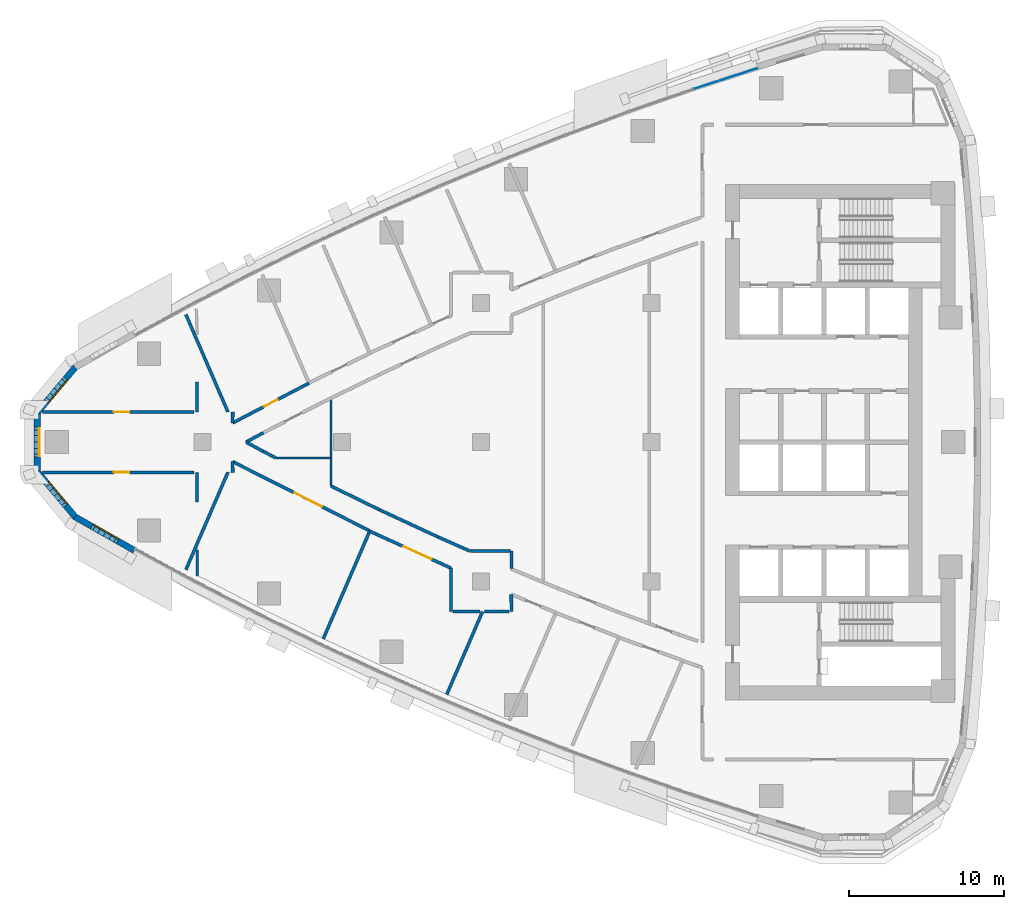
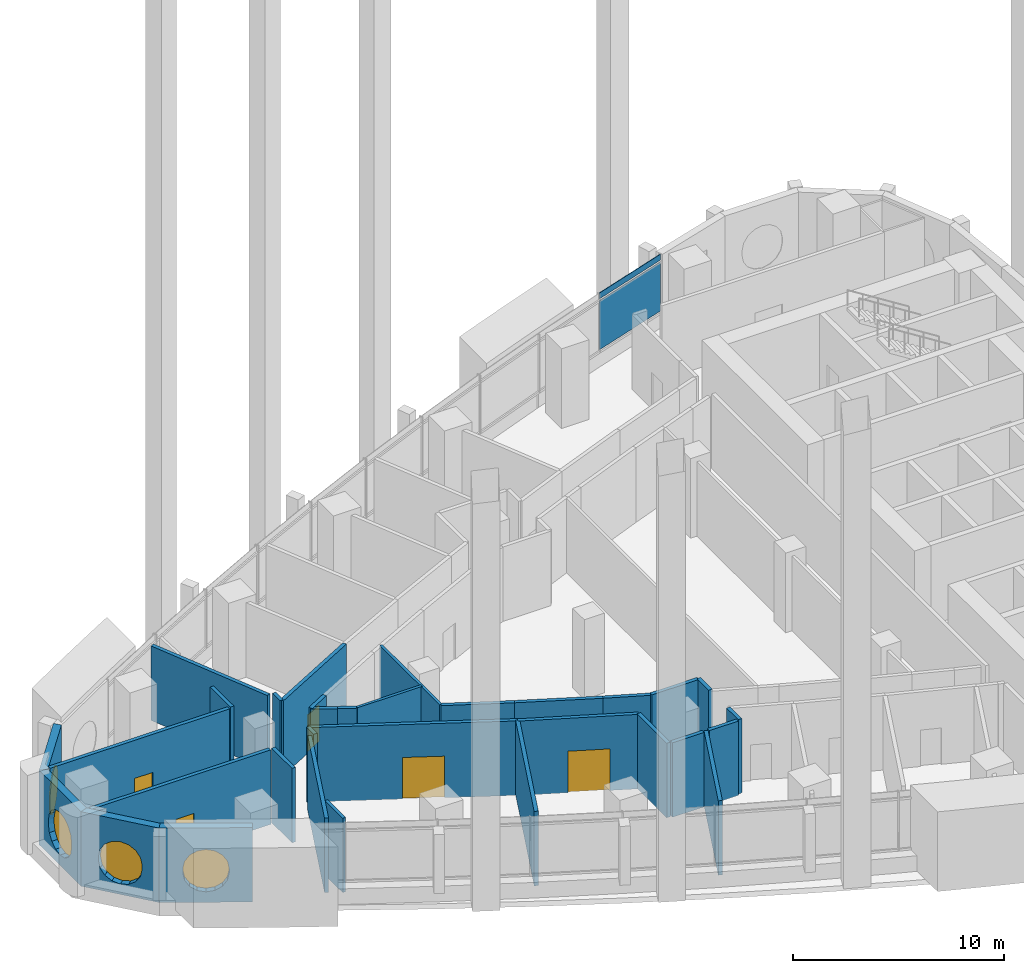
# One storey, part 7 of 17: 32 walls, 5 doors, 4 windows, 2 plates, 9 openings, 1 element without a shape of its own.
"""IFC4 building model written with IfcOpenShell, lengths in metres."""

from ifc_helpers import new_model, si_unit, direction, frame, frame_2d, origin, origin_2d, place, context, subcontext, project, spatial, polyline, rectangle, outline, extrude, material, layer, layer_set, type_object, element, fill, aggregate, save


model = new_model("IFC4")

# Units and contexts
model_context = context("Model", 3, precision=1e-05, world=origin(), true_north=direction((0.0, 1.0)))
body_context = subcontext(model_context, "Body", "Model", "MODEL_VIEW")
ifc_project = project(units=[si_unit("LENGTHUNIT", "METRE"), si_unit("AREAUNIT", "SQUARE_METRE"), si_unit("VOLUMEUNIT", "CUBIC_METRE"), si_unit("PLANEANGLEUNIT", "RADIAN"), si_unit("MASSUNIT", "GRAM", prefix="KILO")], contexts=[model_context])

# Site, building, storey
site_placement = place(None, origin())
site = spatial("IfcSite", under=ifc_project, at=site_placement, CompositionType="ELEMENT")
building_placement = place(site_placement, origin())
building = spatial("IfcBuilding", under=site, at=building_placement, Name="Ostrand Prow Hotel Tower", CompositionType="ELEMENT")
storey_placement = place(building_placement, frame((0.0, 0.0, 125.60009765625)))
storey = spatial("IfcBuildingStorey", under=building, at=storey_placement, Name="L30", CompositionType="ELEMENT", Elevation=125.60009765625)

# Curtain wall, plates
ifc_material_1 = material(Name="Insulated glass in bronze anodised frame", Category="glass")
ifc_layer_1 = layer(ifc_material_1, 0.199951171875)
ifc_layer_set_1 = layer_set([ifc_layer_1], Name="Insulated glass in bronze anodised frame")
curtain_wall_type = type_object("IfcCurtainWallType", Name="Sky lobby full-height curtain wall", PredefinedType="NOTDEFINED", material=ifc_layer_set_1)
curtain_wall_placement = place(storey_placement, origin())
curtain_wall = element("IfcCurtainWall", 1, at=curtain_wall_placement, inside=storey, type_object=curtain_wall_type, Name="CW3 run CWN1", PredefinedType="NOTDEFINED")
ifc_material_2 = material(Name="Low-iron clear glass", Category="glass")
ifc_layer_2 = layer(ifc_material_2, 0.031982421875)
ifc_layer_set_2 = layer_set([ifc_layer_2], Name="Low-iron clear glass")
plate_type = type_object("IfcPlateType", Name="Clear glass unit 32 mm", PredefinedType="CURTAIN_PANEL", material=ifc_layer_set_2)
plate_1_placement = place(storey_placement, frame((49.803466796875, 23.483154296875, 1.02001953125), z_axis=(0.0, 0.0, 1.0), x_axis=(-0.950938332153, -0.309380491373, 0.0)))
plate_1 = element("IfcPlate", 2, at=plate_1_placement, type_object=plate_type, Name="CW3 PN-C panel 1.2", PredefinedType="CURTAIN_PANEL", context=body_context, shape_type="SweptSolid", body=[
    extrude(rectangle(XDim=4.326171875, YDim=0.031982421875, at=origin_2d()), origin(), (0.0, 0.0, 1.0), 2.820068359375),
])
plate_2_placement = place(storey_placement, frame((49.803466796875, 23.483154296875, 3.9599609375), z_axis=(0.0, 0.0, 1.0), x_axis=(-0.950938332153, -0.309380491373, 0.0)))
plate_2 = element("IfcPlate", 3, at=plate_2_placement, type_object=plate_type, Name="CW3 PN-C panel 1.3", PredefinedType="CURTAIN_PANEL", context=body_context, shape_type="SweptSolid", body=[
    extrude(rectangle(XDim=4.326171875, YDim=0.031982421875, at=origin_2d()), origin(), (0.0, 0.0, 1.0), 0.340087890625),
])
aggregate(curtain_wall, [plate_1, plate_2])

# Walls
ifc_material_3 = material(Name="Plasterboard partition")
ifc_layer_3 = layer(ifc_material_3, 0.14990234375)
ifc_layer_set_3 = layer_set([ifc_layer_3], Name="Plasterboard partition")
wall_type_1 = type_object("IfcWallType", Name="Partition 150 room partition", PredefinedType="PARTITIONING", material=ifc_layer_set_3)
wall_1_placement = place(storey_placement, frame((20.741943359375, -1.02099609375, 0.0), z_axis=(0.0, 0.0, 1.0), x_axis=(1.0, 0.0, 0.0)))
element("IfcWall", 4, at=wall_1_placement, inside=storey, type_object=wall_type_1, Name="ROOM PARTITION", PredefinedType="PARTITIONING", context=body_context, shape_type="SweptSolid", body=[
    extrude(rectangle(XDim=3.557861328125, YDim=0.14990234375, at=frame_2d((1.77880859375, 0.0))), origin(), (0.0, 0.0, 1.0), 4.2998046875),
])
wall_2_placement = place(storey_placement, frame((24.2998046875, -2.8359375, 0.0), z_axis=(0.0, 0.0, 1.0), x_axis=(0.0, 1.0, 0.0)))
element("IfcWall", 5, at=wall_2_placement, inside=storey, type_object=wall_type_1, Name="ROOM PARTITION", PredefinedType="PARTITIONING", context=body_context, shape_type="SweptSolid", body=[
    extrude(rectangle(XDim=5.671875, YDim=0.14990234375, at=frame_2d((2.8359375, 0.0))), origin(), (0.0, 0.0, 1.0), 4.2998046875),
])
wall_3_placement = place(storey_placement, frame((15.65869140625, -6.955078125, 0.0), z_axis=(0.0, 0.0, 1.0), x_axis=(0.0, -1.0, 0.0)))
element("IfcWall", 6, at=wall_3_placement, inside=storey, type_object=wall_type_1, Name="ROOM PARTITION", PredefinedType="PARTITIONING", context=body_context, shape_type="SweptSolid", body=[
    extrude(rectangle(XDim=1.68359375, YDim=0.14990234375, at=frame_2d((0.841796875, 0.0))), origin(), (0.0, 0.0, 1.0), 4.2998046875),
])

# Wall, opening, door
ifc_material_4 = material(Name="Plasterboard partition")
ifc_layer_4 = layer(ifc_material_4, 0.199951171875)
ifc_layer_set_4 = layer_set([ifc_layer_4], Name="Plasterboard partition")
wall_type_2 = type_object("IfcWallType", Name="Partition 200 corridor wall", PredefinedType="PARTITIONING", material=ifc_layer_set_4)
wall_4_placement = place(storey_placement, frame((5.654296875, 1.949951171875, 0.0), z_axis=(0.0, 0.0, 1.0), x_axis=(1.0, 0.0, 0.0)))
wall_4 = element("IfcWall", 7, at=wall_4_placement, inside=storey, type_object=wall_type_2, Name="CORRIDOR WALL", PredefinedType="PARTITIONING", context=body_context, shape_type="SweptSolid", body=[
    extrude(rectangle(XDim=9.804443359375, YDim=0.199951171875, at=frame_2d((4.90234375, 0.0))), origin(), (0.0, 0.0, 1.0), 4.2998046875),
])
opening_1_placement = place(wall_4_placement, frame((4.618408203125, 0.0, 0.0)))
opening_1 = element("IfcOpeningElement", 8, at=opening_1_placement, cuts=wall_4, Name="Opening D1", PredefinedType="OPENING", context=body_context, shape_type="SweptSolid", body=[
    extrude(rectangle(XDim=1.0, YDim=2.10009765625, at=frame_2d((0.5, 1.050048828125))), frame((0.0, 0.10986328125, 0.0), z_axis=(0.0, -1.0, 0.0), x_axis=(1.0, 0.0, 0.0)), (0.0, 0.0, 1.0), 0.219970703125),
])
ifc_material_5 = material(Name="Timber door leaf", Category="wood")
door_type_1 = type_object("IfcDoorType", Name="Guest room door 1000", OperationType="SINGLE_SWING_LEFT", PredefinedType="DOOR", material=ifc_material_5)
door_1_placement = place(opening_1_placement, origin())
door_1 = element("IfcDoor", 9, at=door_1_placement, inside=storey, type_object=door_type_1, Name="DOOR", OperationType="SINGLE_SWING_LEFT", OverallHeight=2.10009765625, OverallWidth=1.0, PredefinedType="DOOR", context=body_context, shape_type="SweptSolid", body=[
    extrude(rectangle(XDim=1.0, YDim=2.10009765625, at=frame_2d((0.5, 1.050048828125))), frame((0.0, 0.02490234375, 0.0), z_axis=(0.0, -1.0, 0.0), x_axis=(1.0, 0.0, 0.0)), (0.0, 0.0, 1.0), 0.050048828125),
])
fill(opening_1, door_1)

wall_5_placement = place(storey_placement, frame((5.654296875, -1.949951171875, 0.0), z_axis=(0.0, 0.0, 1.0), x_axis=(1.0, 0.0, 0.0)))
wall_5 = element("IfcWall", 10, at=wall_5_placement, inside=storey, type_object=wall_type_2, Name="CORRIDOR WALL", PredefinedType="PARTITIONING", context=body_context, shape_type="SweptSolid", body=[
    extrude(rectangle(XDim=9.804443359375, YDim=0.199951171875, at=frame_2d((4.90234375, 0.0))), origin(), (0.0, 0.0, 1.0), 4.2998046875),
])
opening_2_placement = place(wall_5_placement, frame((4.618408203125, 0.0, 0.0)))
opening_2 = element("IfcOpeningElement", 11, at=opening_2_placement, cuts=wall_5, Name="Opening D1R", PredefinedType="OPENING", context=body_context, shape_type="SweptSolid", body=[
    extrude(rectangle(XDim=1.0, YDim=2.10009765625, at=frame_2d((0.5, 1.050048828125))), frame((0.0, 0.10986328125, 0.0), z_axis=(0.0, -1.0, 0.0), x_axis=(1.0, 0.0, 0.0)), (0.0, 0.0, 1.0), 0.219970703125),
])
ifc_material_6 = material(Name="Timber door leaf", Category="wood")
door_type_2 = type_object("IfcDoorType", Name="Guest room door 1000 right", OperationType="SINGLE_SWING_RIGHT", PredefinedType="DOOR", material=ifc_material_6)
door_2_placement = place(opening_2_placement, origin())
door_2 = element("IfcDoor", 12, at=door_2_placement, inside=storey, type_object=door_type_2, Name="DOOR", OperationType="SINGLE_SWING_RIGHT", OverallHeight=2.10009765625, OverallWidth=1.0, PredefinedType="DOOR", context=body_context, shape_type="SweptSolid", body=[
    extrude(rectangle(XDim=1.0, YDim=2.10009765625, at=frame_2d((0.5, 1.050048828125))), frame((0.0, 0.02490234375, 0.0), z_axis=(0.0, -1.0, 0.0), x_axis=(1.0, 0.0, 0.0)), (0.0, 0.0, 1.0), 0.050048828125),
])
fill(opening_2, door_2)

wall_6_placement = place(storey_placement, frame((17.949951171875, 1.238037109375, 0.0), z_axis=(0.0, 0.0, 1.0), x_axis=(0.886717942467, 0.46231081591, 0.0)))
wall_6 = element("IfcWall", 13, at=wall_6_placement, inside=storey, type_object=wall_type_2, Name="CORRIDOR WALL", PredefinedType="PARTITIONING", context=body_context, shape_type="SweptSolid", body=[
    extrude(rectangle(XDim=5.55859375, YDim=0.199951171875, at=frame_2d((2.779296875, 0.0))), origin(), (0.0, 0.0, 1.0), 4.2998046875),
])
opening_3_placement = place(wall_6_placement, frame((2.279296875, 0.0, 0.0)))
opening_3 = element("IfcOpeningElement", 14, at=opening_3_placement, cuts=wall_6, Name="Opening D1", PredefinedType="OPENING", context=body_context, shape_type="SweptSolid", body=[
    extrude(rectangle(XDim=1.0, YDim=2.10009765625, at=frame_2d((0.5, 1.050048828125))), frame((0.0, 0.10986328125, 0.0), z_axis=(0.0, -1.0, 0.0), x_axis=(1.0, 0.0, 0.0)), (0.0, 0.0, 1.0), 0.219970703125),
])
door_3_placement = place(opening_3_placement, origin())
door_3 = element("IfcDoor", 15, at=door_3_placement, inside=storey, type_object=door_type_1, Name="DOOR", OperationType="SINGLE_SWING_LEFT", OverallHeight=2.10009765625, OverallWidth=1.0, PredefinedType="DOOR", context=body_context, shape_type="SweptSolid", body=[
    extrude(rectangle(XDim=1.0, YDim=2.10009765625, at=frame_2d((0.5, 1.050048828125))), frame((0.0, 0.02490234375, 0.0), z_axis=(0.0, -1.0, 0.0), x_axis=(1.0, 0.0, 0.0)), (0.0, 0.0, 1.0), 0.050048828125),
])
fill(opening_3, door_3)

wall_7_placement = place(storey_placement, frame((17.949951171875, -1.2607421875, 0.0), z_axis=(0.0, 0.0, 1.0), x_axis=(0.892679126003, -0.450692775623, 0.0)))
wall_7 = element("IfcWall", 16, at=wall_7_placement, inside=storey, type_object=wall_type_2, Name="CORRIDOR WALL", PredefinedType="PARTITIONING", context=body_context, shape_type="SweptSolid", body=[
    extrude(rectangle(XDim=9.9267578125, YDim=0.199951171875, at=frame_2d((4.96337890625, 0.0))), origin(), (0.0, 0.0, 1.0), 4.2998046875),
])
opening_4_placement = place(wall_7_placement, frame((4.463134765625, 0.0, 0.0)))
opening_4 = element("IfcOpeningElement", 17, at=opening_4_placement, cuts=wall_7, Name="Opening D20", PredefinedType="OPENING", context=body_context, shape_type="SweptSolid", body=[
    extrude(rectangle(XDim=2.0, YDim=2.39990234375, at=frame_2d((1.0, 1.199951171875))), frame((0.0, 0.10986328125, 0.0), z_axis=(0.0, -1.0, 0.0), x_axis=(1.0, 0.0, 0.0)), (0.0, 0.0, 1.0), 0.219970703125),
])
ifc_material_7 = material(Name="Timber door leaf", Category="wood")
door_type_3 = type_object("IfcDoorType", Name="Double door 2000", OperationType="DOUBLE_DOOR_SINGLE_SWING", PredefinedType="DOOR", material=ifc_material_7)
door_4_placement = place(opening_4_placement, origin())
door_4 = element("IfcDoor", 18, at=door_4_placement, inside=storey, type_object=door_type_3, Name="DOOR", OperationType="DOUBLE_DOOR_SINGLE_SWING", OverallHeight=2.39990234375, OverallWidth=2.0, PredefinedType="DOOR", context=body_context, shape_type="SweptSolid", body=[
    extrude(rectangle(XDim=2.0, YDim=2.39990234375, at=frame_2d((1.0, 1.199951171875))), frame((0.0, 0.02490234375, 0.0), z_axis=(0.0, -1.0, 0.0), x_axis=(1.0, 0.0, 0.0)), (0.0, 0.0, 1.0), 0.050048828125),
])
fill(opening_4, door_4)

wall_8_placement = place(storey_placement, frame((26.80322265625, -5.7529296875, 0.0), z_axis=(0.0, 0.0, 1.0), x_axis=(0.910552112877, -0.41339430298, 0.0)))
wall_8 = element("IfcWall", 19, at=wall_8_placement, inside=storey, type_object=wall_type_2, Name="CORRIDOR WALL", PredefinedType="PARTITIONING", context=body_context, shape_type="SweptSolid", body=[
    extrude(rectangle(XDim=5.76220703125, YDim=0.199951171875, at=frame_2d((2.881103515625, 0.0))), origin(), (0.0, 0.0, 1.0), 4.2998046875),
])
opening_5_placement = place(wall_8_placement, frame((2.381103515625, 0.0, 0.0)))
opening_5 = element("IfcOpeningElement", 20, at=opening_5_placement, cuts=wall_8, Name="Opening D20", PredefinedType="OPENING", context=body_context, shape_type="SweptSolid", body=[
    extrude(rectangle(XDim=2.0, YDim=2.39990234375, at=frame_2d((1.0, 1.199951171875))), frame((0.0, 0.10986328125, 0.0), z_axis=(0.0, -1.0, 0.0), x_axis=(1.0, 0.0, 0.0)), (0.0, 0.0, 1.0), 0.219970703125),
])
door_5_placement = place(opening_5_placement, origin())
door_5 = element("IfcDoor", 21, at=door_5_placement, inside=storey, type_object=door_type_3, Name="DOOR", OperationType="DOUBLE_DOOR_SINGLE_SWING", OverallHeight=2.39990234375, OverallWidth=2.0, PredefinedType="DOOR", context=body_context, shape_type="SweptSolid", body=[
    extrude(rectangle(XDim=2.0, YDim=2.39990234375, at=frame_2d((1.0, 1.199951171875))), frame((0.0, 0.02490234375, 0.0), z_axis=(0.0, -1.0, 0.0), x_axis=(1.0, 0.0, 0.0)), (0.0, 0.0, 1.0), 0.050048828125),
])
fill(opening_5, door_5)

# Walls
for number, where, z_axis, x_axis, name in (
    (22, (19.928466796875, -0.60205078125, 0.0), (0.0, 0.0, 1.0), (-0.879832865766, 0.475283208538, 0.0), "CORRIDOR WALL"),
    (23, (18.81396484375, 0.0, 0.0), (0.0, 0.0, 1.0), (0.879832865766, 0.475283208538, 0.0), "CORRIDOR WALL"),
):
    element("IfcWall", number, at=place(storey_placement, frame(where, z_axis=z_axis, x_axis=x_axis)), inside=storey, type_object=wall_type_2, Name=name, PredefinedType="PARTITIONING", context=body_context, shape_type="SweptSolid", body=[
        extrude(rectangle(XDim=1.2666015625, YDim=0.199951171875, at=frame_2d((0.63330078125, 0.0))), origin(), (0.0, 0.0, 1.0), 4.2998046875),
    ])
wall_9_placement = place(storey_placement, frame((20.741943359375, -1.02099609375, 0.0), z_axis=(0.0, 0.0, 1.0), x_axis=(-0.889027216477, 0.457854352784, 0.0)))
element("IfcWall", 24, at=wall_9_placement, inside=storey, type_object=wall_type_2, Name="CORRIDOR WALL", PredefinedType="PARTITIONING", context=body_context, shape_type="SweptSolid", body=[
    extrude(rectangle(XDim=0.9150390625, YDim=0.199951171875, at=frame_2d((0.45751953125, 0.0))), origin(), (0.0, 0.0, 1.0), 4.2998046875),
])
wall_10_placement = place(storey_placement, frame((33.307861328125, -7.050048828125, 0.0), z_axis=(0.0, 0.0, 1.0), x_axis=(-0.915102334452, 0.403221672881, 0.0)))
element("IfcWall", 25, at=wall_10_placement, inside=storey, type_object=wall_type_2, Name="CORRIDOR WALL", PredefinedType="PARTITIONING", context=body_context, shape_type="SweptSolid", body=[
    extrude(rectangle(XDim=2.269287109375, YDim=0.199951171875, at=frame_2d((1.134765625, 0.0))), origin(), (0.0, 0.0, 1.0), 4.2998046875),
])
wall_11_placement = place(storey_placement, frame((31.231201171875, -6.135009765625, 0.0), z_axis=(0.0, 0.0, 1.0), x_axis=(-0.906830275285, 0.421495968933, 0.0)))
element("IfcWall", 26, at=wall_11_placement, inside=storey, type_object=wall_type_2, Name="CORRIDOR WALL", PredefinedType="PARTITIONING", context=body_context, shape_type="SweptSolid", body=[
    extrude(rectangle(XDim=4.1953125, YDim=0.199951171875, at=frame_2d((2.09765625, 0.0))), origin(), (0.0, 0.0, 1.0), 4.2998046875),
])
wall_12_placement = place(storey_placement, frame((27.4267578125, -4.36669921875, 0.0), z_axis=(0.0, 0.0, 1.0), x_axis=(-0.898154271981, 0.43968045638, 0.0)))
element("IfcWall", 27, at=wall_12_placement, inside=storey, type_object=wall_type_2, Name="CORRIDOR WALL", PredefinedType="PARTITIONING", context=body_context, shape_type="SweptSolid", body=[
    extrude(rectangle(XDim=3.4814453125, YDim=0.199951171875, at=frame_2d((1.74072265625, 0.0))), origin(), (0.0, 0.0, 1.0), 4.2998046875),
])
wall_13_placement = place(storey_placement, frame((35.954833984375, -8.153564453125, 0.0), z_axis=(0.0, 0.0, 1.0), x_axis=(-0.002643744892, 0.9999965053, 0.0)))
element("IfcWall", 28, at=wall_13_placement, inside=storey, type_object=wall_type_2, Name="CORRIDOR WALL", PredefinedType="PARTITIONING", context=body_context, shape_type="SweptSolid", body=[
    extrude(rectangle(XDim=1.108154296875, YDim=0.199951171875, at=frame_2d((0.55419921875, 0.0))), origin(), (0.0, 0.0, 1.0), 4.2998046875),
])
wall_14_placement = place(storey_placement, frame((35.911865234375, -7.04541015625, 0.0), z_axis=(0.0, 0.0, 1.0), x_axis=(-0.999999981873, 0.000190403652, 0.0)))
element("IfcWall", 29, at=wall_14_placement, inside=storey, type_object=wall_type_2, Name="CORRIDOR WALL", PredefinedType="PARTITIONING", context=body_context, shape_type="SweptSolid", body=[
    extrude(rectangle(XDim=2.564453125, YDim=0.199951171875, at=frame_2d((1.2822265625, 0.0))), origin(), (0.0, 0.0, 1.0), 4.2998046875),
])
wall_15_placement = place(storey_placement, frame((15.65869140625, 3.869384765625, 0.0), z_axis=(0.0, 0.0, 1.0), x_axis=(0.0, -1.0, 0.0)))
element("IfcWall", 30, at=wall_15_placement, inside=storey, type_object=wall_type_2, Name="CORRIDOR WALL", PredefinedType="PARTITIONING", context=body_context, shape_type="SweptSolid", body=[
    extrude(rectangle(XDim=1.914306640625, YDim=0.199951171875, at=frame_2d((0.95703125, 0.0))), origin(), (0.0, 0.0, 1.0), 4.2998046875),
])
wall_16_placement = place(storey_placement, frame((15.65869140625, -1.955078125, 0.0), z_axis=(0.0, 0.0, 1.0), x_axis=(0.0, -1.0, 0.0)))
element("IfcWall", 31, at=wall_16_placement, inside=storey, type_object=wall_type_2, Name="CORRIDOR WALL", PredefinedType="PARTITIONING", context=body_context, shape_type="SweptSolid", body=[
    extrude(rectangle(XDim=1.921630859375, YDim=0.199951171875, at=frame_2d((0.9609375, 0.0))), origin(), (0.0, 0.0, 1.0), 4.2998046875),
])
wall_17_placement = place(storey_placement, frame((17.949951171875, 1.238037109375, 0.0), z_axis=(0.0, 0.0, 1.0), x_axis=(0.006497810838, 0.999978889004, 0.0)))
element("IfcWall", 32, at=wall_17_placement, inside=storey, type_object=wall_type_2, Name="CORRIDOR WALL", PredefinedType="PARTITIONING", context=body_context, shape_type="SweptSolid", body=[
    extrude(rectangle(XDim=0.7138671875, YDim=0.199951171875, at=frame_2d((0.35693359375, 0.0))), origin(), (0.0, 0.0, 1.0), 4.2998046875),
])
wall_18_placement = place(storey_placement, frame((17.95458984375, -1.951904296875, 0.0), z_axis=(0.0, 0.0, 1.0), x_axis=(-0.00671125825, 0.999977479253, 0.0)))
element("IfcWall", 33, at=wall_18_placement, inside=storey, type_object=wall_type_2, Name="CORRIDOR WALL", PredefinedType="PARTITIONING", context=body_context, shape_type="SweptSolid", body=[
    extrude(rectangle(XDim=0.691162109375, YDim=0.199951171875, at=frame_2d((0.345703125, 0.0))), origin(), (0.0, 0.0, 1.0), 4.2998046875),
])
wall_19_placement = place(storey_placement, frame((32.050048828125, -8.135009765625, 0.0), z_axis=(0.0, 0.0, 1.0), x_axis=(-0.001039230408, -0.99999946, 0.0)))
element("IfcWall", 34, at=wall_19_placement, inside=storey, type_object=wall_type_2, Name="CORRIDOR WALL", PredefinedType="PARTITIONING", context=body_context, shape_type="SweptSolid", body=[
    extrude(rectangle(XDim=2.819091796875, YDim=0.199951171875, at=frame_2d((1.40966796875, 0.0))), origin(), (0.0, 0.0, 1.0), 4.2998046875),
])
wall_20_placement = place(storey_placement, frame((35.952880859375, -10.9541015625, 0.0), z_axis=(0.0, 0.0, 1.0), x_axis=(-0.00262983969, 0.999996541966, 0.0)))
element("IfcWall", 35, at=wall_20_placement, inside=storey, type_object=wall_type_2, Name="CORRIDOR WALL", PredefinedType="PARTITIONING", context=body_context, shape_type="SweptSolid", body=[
    extrude(rectangle(XDim=1.114013671875, YDim=0.199951171875, at=frame_2d((0.55712890625, 0.0))), origin(), (0.0, 0.0, 1.0), 4.2998046875),
])
ifc_material_8 = material(Name="Plasterboard partition")
ifc_layer_5 = layer(ifc_material_8, 0.199951171875)
ifc_layer_set_5 = layer_set([ifc_layer_5], Name="Plasterboard partition")
wall_type_3 = type_object("IfcWallType", Name="Partition 200 key partition", PredefinedType="PARTITIONING", material=ifc_layer_set_5)
for number, where, z_axis, x_axis, name in (
    (36, (17.64306640625, 1.949951171875, 0.0), (0.0, 0.0, 1.0), (-0.395994543879, 0.918252863441, 0.0), "KEY PARTITION"),
    (37, (14.9287109375, -8.244140625, 0.0), (0.0, 0.0, 1.0), (0.395994543879, 0.918252863441, 0.0), "KEY PARTITION"),
):
    element("IfcWall", number, at=place(storey_placement, frame(where, z_axis=z_axis, x_axis=x_axis)), inside=storey, type_object=wall_type_3, Name=name, PredefinedType="PARTITIONING", context=body_context, shape_type="SweptSolid", body=[
        extrude(rectangle(XDim=6.8544921875, YDim=0.199951171875, at=frame_2d((3.42724609375, 0.0))), origin(), (0.0, 0.0, 1.0), 4.2998046875),
    ])
wall_21_placement = place(storey_placement, frame((23.800537109375, -12.716064453125, 0.0), z_axis=(0.0, 0.0, 1.0), x_axis=(0.395995556294, 0.918252426839, 0.0)))
element("IfcWall", 38, at=wall_21_placement, inside=storey, type_object=wall_type_3, Name="KEY PARTITION", PredefinedType="PARTITIONING", context=body_context, shape_type="SweptSolid", body=[
    extrude(rectangle(XDim=7.60302734375, YDim=0.199951171875, at=frame_2d((3.801513671875, 0.0))), origin(), (0.0, 0.0, 1.0), 4.2998046875),
])
wall_22_placement = place(storey_placement, frame((31.778564453125, -16.3134765625, 0.0), z_axis=(0.0, 0.0, 1.0), x_axis=(0.395991607501, 0.918254129742, 0.0)))
element("IfcWall", 39, at=wall_22_placement, inside=storey, type_object=wall_type_3, Name="KEY PARTITION", PredefinedType="PARTITIONING", context=body_context, shape_type="SweptSolid", body=[
    extrude(rectangle(XDim=5.841064453125, YDim=0.199951171875, at=frame_2d((2.92041015625, 0.0))), origin(), (0.0, 0.0, 1.0), 4.2998046875),
])
wall_23_placement = place(storey_placement, frame((33.927490234375, -10.951904296875, 0.0), z_axis=(0.0, 0.0, 1.0), x_axis=(-0.999999512201, 0.00098772352, 0.0)))
element("IfcWall", 40, at=wall_23_placement, inside=storey, type_object=wall_type_3, Name="KEY PARTITION", PredefinedType="PARTITIONING", context=body_context, shape_type="SweptSolid", body=[
    extrude(rectangle(XDim=1.730224609375, YDim=0.199951171875, at=frame_2d((0.865234375, 0.0))), origin(), (0.0, 0.0, 1.0), 4.2998046875),
])
wall_24_placement = place(storey_placement, frame((35.802734375, -10.95361328125, 0.0), z_axis=(0.0, 0.0, 1.0), x_axis=(-0.999999573702, 0.000923360641, 0.0)))
element("IfcWall", 41, at=wall_24_placement, inside=storey, type_object=wall_type_3, Name="KEY PARTITION", PredefinedType="PARTITIONING", context=body_context, shape_type="SweptSolid", body=[
    extrude(rectangle(XDim=1.58642578125, YDim=0.199951171875, at=frame_2d((0.793212890625, 0.0))), origin(), (0.0, 0.0, 1.0), 4.2998046875),
])

# Wall, opening, window
ifc_material_9 = material(Name="Precast concrete C40/50", Category="concrete")
ifc_layer_6 = layer(ifc_material_9, 0.39990234375)
ifc_layer_set_6 = layer_set([ifc_layer_6], Name="Precast concrete C40/50")
wall_type_4 = type_object("IfcWallType", Name="Stone-faced precast wall 400 mm", PredefinedType="NOTDEFINED", material=ifc_layer_set_6)
wall_25_placement = place(storey_placement, frame((7.77685546875, 4.833740234375, 0.0), z_axis=(0.0, 0.0, 1.0), x_axis=(-0.641787918235, -0.766882173484, 0.0)))
wall_25 = element("IfcWall", 42, at=wall_25_placement, inside=storey, type_object=wall_type_4, Name="Stone-faced wall prow 2", PredefinedType="NOTDEFINED", context=body_context, shape_type="SweptSolid", body=[
    extrude(outline(polyline([(-0.0361328125, -0.199951171875), (3.887939453125, -0.199951171875), (3.742919921875, 0.199951171875), (0.0361328125, 0.199951171875), (-0.0361328125, -0.199951171875)])), origin(), (0.0, 0.0, 1.0), 4.2998046875),
])
opening_6_placement = place(wall_25_placement, frame((0.8076171875, 0.0, 0.60009765625)))
opening_6 = element("IfcOpeningElement", 43, at=opening_6_placement, cuts=wall_25, Name="Opening WP2", PredefinedType="OPENING", context=body_context, shape_type="SweptSolid", body=[
    extrude(outline(polyline([(0.0, 1.35009765625), (0.083740234375, 1.77099609375), (0.322265625, 2.127685546875), (0.678955078125, 2.3662109375), (1.10009765625, 2.449951171875), (1.52099609375, 2.3662109375), (1.877685546875, 2.127685546875), (2.1162109375, 1.77099609375), (2.199951171875, 1.35009765625), (2.199951171875, 1.10009765625), (2.1162109375, 0.678955078125), (1.877685546875, 0.322265625), (1.52099609375, 0.083740234375), (1.10009765625, 0.0), (0.678955078125, 0.083740234375), (0.322265625, 0.322265625), (0.083740234375, 0.678955078125), (0.0, 1.099853515625), (0.0, 1.35009765625)])), frame((0.0, 0.2099609375, 0.0), z_axis=(0.0, -1.0, 0.0), x_axis=(1.0, 0.0, 0.0)), (0.0, 0.0, 1.0), 0.419921875),
])
ifc_material_10 = material(Name="Insulated glass in bronze frame", Category="glass")
window_type = type_object("IfcWindowType", Name="Round-ended prow lounge window 2200x2450", PartitioningType="SINGLE_PANEL", PredefinedType="WINDOW", material=ifc_material_10)
window_1_placement = place(opening_6_placement, origin())
window_1 = element("IfcWindow", 44, at=window_1_placement, inside=storey, type_object=window_type, Name="Window prow 2.1", OverallHeight=2.449951171875, OverallWidth=2.199951171875, PartitioningType="SINGLE_PANEL", PredefinedType="WINDOW", context=body_context, shape_type="SweptSolid", body=[
    extrude(outline(polyline([(0.0, 1.35009765625), (0.083740234375, 1.77099609375), (0.322265625, 2.127685546875), (0.678955078125, 2.3662109375), (1.10009765625, 2.449951171875), (1.52099609375, 2.3662109375), (1.877685546875, 2.127685546875), (2.1162109375, 1.77099609375), (2.199951171875, 1.35009765625), (2.199951171875, 1.10009765625), (2.1162109375, 0.678955078125), (1.877685546875, 0.322265625), (1.52099609375, 0.083740234375), (1.10009765625, 0.0), (0.678955078125, 0.083740234375), (0.322265625, 0.322265625), (0.083740234375, 0.678955078125), (0.0, 1.099853515625), (0.0, 1.35009765625)])), frame((0.0, 0.169921875, 0.0), z_axis=(0.0, -1.0, 0.0), x_axis=(1.0, 0.0, 0.0)), (0.0, 0.0, 1.0), 0.06005859375),
])
fill(opening_6, window_1)

wall_26_placement = place(storey_placement, frame((5.328125, 1.90771484375, 0.0), z_axis=(0.0, 0.0, 1.0), x_axis=(0.0, -1.0, 0.0)))
wall_26 = element("IfcWall", 45, at=wall_26_placement, inside=storey, type_object=wall_type_4, Name="Stone-faced wall prow 3", PredefinedType="NOTDEFINED", context=body_context, shape_type="SweptSolid", body=[
    extrude(outline(polyline([(-0.072509765625, -0.199951171875), (3.887939453125, -0.199951171875), (3.742919921875, 0.199951171875), (0.072509765625, 0.199951171875), (-0.072509765625, -0.199951171875)])), origin(), (0.0, 0.0, 1.0), 4.2998046875),
])
opening_7_placement = place(wall_26_placement, frame((0.8076171875, 0.0, 0.60009765625)))
opening_7 = element("IfcOpeningElement", 46, at=opening_7_placement, cuts=wall_26, Name="Opening WP2", PredefinedType="OPENING", context=body_context, shape_type="SweptSolid", body=[
    extrude(outline(polyline([(0.0, 1.35009765625), (0.083740234375, 1.77099609375), (0.322265625, 2.127685546875), (0.678955078125, 2.3662109375), (1.10009765625, 2.449951171875), (1.52099609375, 2.3662109375), (1.877685546875, 2.127685546875), (2.1162109375, 1.77099609375), (2.199951171875, 1.35009765625), (2.199951171875, 1.10009765625), (2.1162109375, 0.678955078125), (1.877685546875, 0.322265625), (1.52099609375, 0.083740234375), (1.10009765625, 0.0), (0.678955078125, 0.083740234375), (0.322265625, 0.322265625), (0.083740234375, 0.678955078125), (0.0, 1.099853515625), (0.0, 1.35009765625)])), frame((0.0, 0.2099609375, 0.0), z_axis=(0.0, -1.0, 0.0), x_axis=(1.0, 0.0, 0.0)), (0.0, 0.0, 1.0), 0.419921875),
])
window_2_placement = place(opening_7_placement, origin())
window_2 = element("IfcWindow", 47, at=window_2_placement, inside=storey, type_object=window_type, Name="Window prow 3.1", OverallHeight=2.449951171875, OverallWidth=2.199951171875, PartitioningType="SINGLE_PANEL", PredefinedType="WINDOW", context=body_context, shape_type="SweptSolid", body=[
    extrude(outline(polyline([(0.0, 1.35009765625), (0.083740234375, 1.77099609375), (0.322265625, 2.127685546875), (0.678955078125, 2.3662109375), (1.10009765625, 2.449951171875), (1.52099609375, 2.3662109375), (1.877685546875, 2.127685546875), (2.1162109375, 1.77099609375), (2.199951171875, 1.35009765625), (2.199951171875, 1.10009765625), (2.1162109375, 0.678955078125), (1.877685546875, 0.322265625), (1.52099609375, 0.083740234375), (1.10009765625, 0.0), (0.678955078125, 0.083740234375), (0.322265625, 0.322265625), (0.083740234375, 0.678955078125), (0.0, 1.099853515625), (0.0, 1.35009765625)])), frame((0.0, 0.169921875, 0.0), z_axis=(0.0, -1.0, 0.0), x_axis=(1.0, 0.0, 0.0)), (0.0, 0.0, 1.0), 0.06005859375),
])
fill(opening_7, window_2)

wall_27_placement = place(storey_placement, frame((5.328125, -1.90771484375, 0.0), z_axis=(0.0, 0.0, 1.0), x_axis=(0.641787918235, -0.766882173484, 0.0)))
wall_27 = element("IfcWall", 48, at=wall_27_placement, inside=storey, type_object=wall_type_4, Name="Stone-faced wall prow 4", PredefinedType="NOTDEFINED", context=body_context, shape_type="SweptSolid", body=[
    extrude(outline(polyline([(-0.072509765625, -0.199951171875), (3.8515625, -0.199951171875), (3.779296875, 0.199951171875), (0.072509765625, 0.199951171875), (-0.072509765625, -0.199951171875)])), origin(), (0.0, 0.0, 1.0), 4.2998046875),
])
opening_8_placement = place(wall_27_placement, frame((0.8076171875, 0.0, 0.60009765625)))
opening_8 = element("IfcOpeningElement", 49, at=opening_8_placement, cuts=wall_27, Name="Opening WP2", PredefinedType="OPENING", context=body_context, shape_type="SweptSolid", body=[
    extrude(outline(polyline([(0.0, 1.35009765625), (0.083740234375, 1.77099609375), (0.322265625, 2.127685546875), (0.678955078125, 2.3662109375), (1.10009765625, 2.449951171875), (1.52099609375, 2.3662109375), (1.877685546875, 2.127685546875), (2.1162109375, 1.77099609375), (2.199951171875, 1.35009765625), (2.199951171875, 1.10009765625), (2.1162109375, 0.678955078125), (1.877685546875, 0.322265625), (1.52099609375, 0.083740234375), (1.10009765625, 0.0), (0.678955078125, 0.083740234375), (0.322265625, 0.322265625), (0.083740234375, 0.678955078125), (0.0, 1.099853515625), (0.0, 1.35009765625)])), frame((0.0, 0.2099609375, 0.0), z_axis=(0.0, -1.0, 0.0), x_axis=(1.0, 0.0, 0.0)), (0.0, 0.0, 1.0), 0.419921875),
])
window_3_placement = place(opening_8_placement, origin())
window_3 = element("IfcWindow", 50, at=window_3_placement, inside=storey, type_object=window_type, Name="Window prow 4.1", OverallHeight=2.449951171875, OverallWidth=2.199951171875, PartitioningType="SINGLE_PANEL", PredefinedType="WINDOW", context=body_context, shape_type="SweptSolid", body=[
    extrude(outline(polyline([(0.0, 1.35009765625), (0.083740234375, 1.77099609375), (0.322265625, 2.127685546875), (0.678955078125, 2.3662109375), (1.10009765625, 2.449951171875), (1.52099609375, 2.3662109375), (1.877685546875, 2.127685546875), (2.1162109375, 1.77099609375), (2.199951171875, 1.35009765625), (2.199951171875, 1.10009765625), (2.1162109375, 0.678955078125), (1.877685546875, 0.322265625), (1.52099609375, 0.083740234375), (1.10009765625, 0.0), (0.678955078125, 0.083740234375), (0.322265625, 0.322265625), (0.083740234375, 0.678955078125), (0.0, 1.099853515625), (0.0, 1.35009765625)])), frame((0.0, 0.169921875, 0.0), z_axis=(0.0, -1.0, 0.0), x_axis=(1.0, 0.0, 0.0)), (0.0, 0.0, 1.0), 0.06005859375),
])
fill(opening_8, window_3)

wall_28_placement = place(storey_placement, frame((7.77685546875, -4.833740234375, 0.0), z_axis=(0.0, 0.0, 1.0), x_axis=(0.870045255208, -0.492971859125, 0.0)))
wall_28 = element("IfcWall", 51, at=wall_28_placement, inside=storey, type_object=wall_type_4, Name="Stone-faced wall prow 5", PredefinedType="NOTDEFINED", context=body_context, shape_type="SweptSolid", body=[
    extrude(outline(polyline([(-0.0361328125, -0.199951171875), (4.387939453125, -0.199951171875), (4.387939453125, 0.199951171875), (0.0361328125, 0.199951171875), (-0.0361328125, -0.199951171875)])), origin(), (0.0, 0.0, 1.0), 4.2998046875),
])
opening_9_placement = place(wall_28_placement, frame((1.093994140625, 0.0, 0.60009765625)))
opening_9 = element("IfcOpeningElement", 52, at=opening_9_placement, cuts=wall_28, Name="Opening WP2", PredefinedType="OPENING", context=body_context, shape_type="SweptSolid", body=[
    extrude(outline(polyline([(0.0, 1.35009765625), (0.083740234375, 1.77099609375), (0.322265625, 2.127685546875), (0.678955078125, 2.3662109375), (1.10009765625, 2.449951171875), (1.52099609375, 2.3662109375), (1.877685546875, 2.127685546875), (2.1162109375, 1.77099609375), (2.199951171875, 1.35009765625), (2.199951171875, 1.10009765625), (2.1162109375, 0.678955078125), (1.877685546875, 0.322265625), (1.52099609375, 0.083740234375), (1.10009765625, 0.0), (0.678955078125, 0.083740234375), (0.322265625, 0.322265625), (0.083740234375, 0.678955078125), (0.0, 1.099853515625), (0.0, 1.35009765625)])), frame((0.0, 0.2099609375, 0.0), z_axis=(0.0, -1.0, 0.0), x_axis=(1.0, 0.0, 0.0)), (0.0, 0.0, 1.0), 0.419921875),
])
window_4_placement = place(opening_9_placement, origin())
window_4 = element("IfcWindow", 53, at=window_4_placement, inside=storey, type_object=window_type, Name="Window prow 5.1", OverallHeight=2.449951171875, OverallWidth=2.199951171875, PartitioningType="SINGLE_PANEL", PredefinedType="WINDOW", context=body_context, shape_type="SweptSolid", body=[
    extrude(outline(polyline([(0.0, 1.35009765625), (0.083740234375, 1.77099609375), (0.322265625, 2.127685546875), (0.678955078125, 2.3662109375), (1.10009765625, 2.449951171875), (1.52099609375, 2.3662109375), (1.877685546875, 2.127685546875), (2.1162109375, 1.77099609375), (2.199951171875, 1.35009765625), (2.199951171875, 1.10009765625), (2.1162109375, 0.678955078125), (1.877685546875, 0.322265625), (1.52099609375, 0.083740234375), (1.10009765625, 0.0), (0.678955078125, 0.083740234375), (0.322265625, 0.322265625), (0.083740234375, 0.678955078125), (0.0, 1.099853515625), (0.0, 1.35009765625)])), frame((0.0, 0.169921875, 0.0), z_axis=(0.0, -1.0, 0.0), x_axis=(1.0, 0.0, 0.0)), (0.0, 0.0, 1.0), 0.06005859375),
])
fill(opening_9, window_4)

save(model, "model.ifc")
